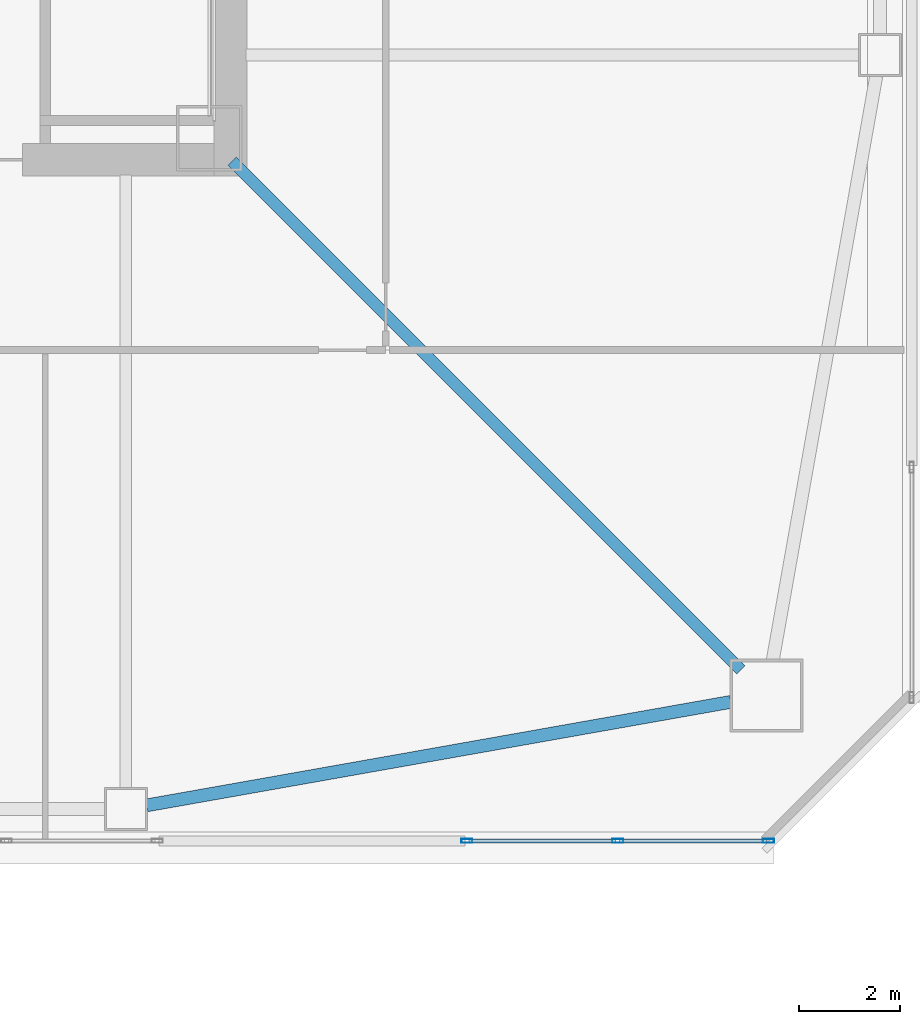
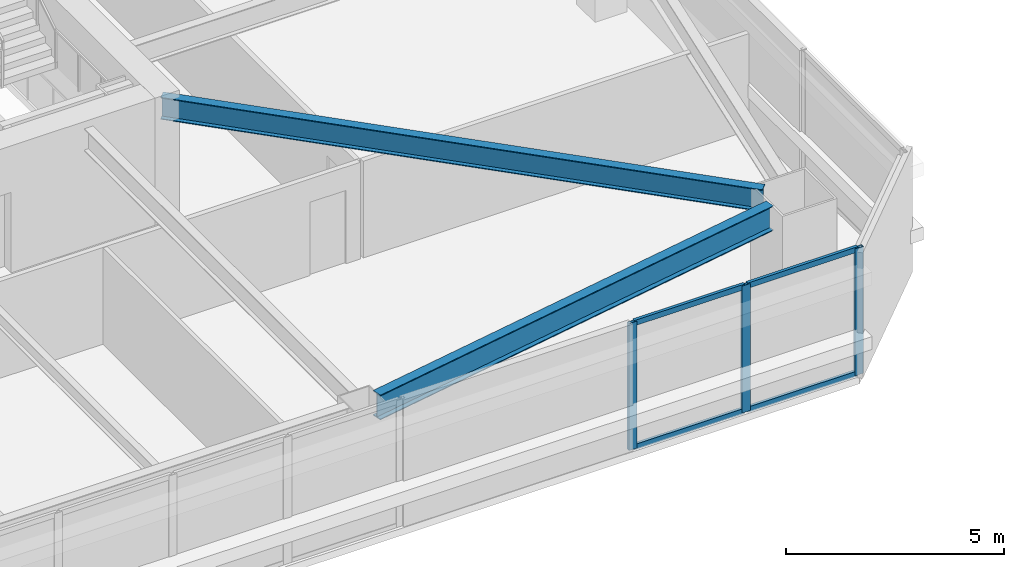
# One storey, part 8 of 44: 7 members, 2 beams, 1 element without a shape of its own.
"""IFC4 building model written with IfcOpenShell, lengths in metres."""

from ifc_helpers import new_model, si_unit, direction, frame, origin, origin_2d, place, context, subcontext, project, spatial, hollow_rectangle, i_section, extrude, material, material_profile, profile_set, type_object, element, aggregate, save


model = new_model("IFC4")

# Units and contexts
model_context = context("Model", 3, precision=1e-05, world=origin(), true_north=direction((0.0, 1.0)))
body_context = subcontext(model_context, "Body", "Model", "MODEL_VIEW")
ifc_project = project(units=[si_unit("LENGTHUNIT", "METRE"), si_unit("AREAUNIT", "SQUARE_METRE"), si_unit("VOLUMEUNIT", "CUBIC_METRE"), si_unit("PLANEANGLEUNIT", "RADIAN"), si_unit("MASSUNIT", "GRAM", prefix="KILO")], contexts=[model_context])

# Site, building, storey
site_placement = place(None, origin())
site = spatial("IfcSite", under=ifc_project, at=site_placement, CompositionType="ELEMENT")
building_placement = place(site_placement, origin())
building = spatial("IfcBuilding", under=site, at=building_placement, Name="Tashvorn Skyway Center", CompositionType="ELEMENT")
storey_placement = place(building_placement, frame((0.0, 0.0, 84.949951171875)))
storey = spatial("IfcBuildingStorey", under=building, at=storey_placement, Name="L22", CompositionType="ELEMENT", Elevation=84.949951171875)

# Beams
ifc_material_1 = material(Name="Steel ASTM A992 Grade 50", Category="steel")
ifc_material_profile_1 = material_profile(ifc_material_1, i_section(OverallWidth=0.22998046875, OverallDepth=0.616943359375, WebThickness=0.01318359375, FlangeThickness=0.022216796875, at=origin_2d()), Name="W24X94")
ifc_profile_set_1 = profile_set([ifc_material_profile_1], Name="Steel ASTM A992 Grade 50")
beam_type_1 = type_object("IfcBeamType", Name="BM-BEAM-W24X94", PredefinedType="BEAM", material=ifc_profile_set_1)
beam_1_placement = place(storey_placement, frame((59.5908203125, 14.4091796875, 3.04150390625), z_axis=(-0.707106781187, 0.707106781187, 0.0), x_axis=(-0.707106781187, -0.707106781187, 0.0)))
element("IfcBeam", 1, at=beam_1_placement, inside=storey, type_object=beam_type_1, Name="Tower 1 L22 Primary Floor Girder MC-SE", PredefinedType="BEAM", context=body_context, shape_type="SweptSolid", body=[
    extrude(i_section(OverallWidth=0.22998046875, OverallDepth=0.616943359375, WebThickness=0.01318359375, FlangeThickness=0.022216796875, at=origin_2d()), origin(), (0.0, 0.0, 1.0), 14.261962890625),
])
ifc_material_profile_2 = material_profile(ifc_material_1, i_section(OverallWidth=0.256103515625, OverallDepth=0.693115234375, WebThickness=0.014404296875, FlangeThickness=0.023681640625, at=origin_2d()), Name="W27X114")
ifc_profile_set_2 = profile_set([ifc_material_profile_2], Name="Steel ASTM A992 Grade 50")
beam_type_2 = type_object("IfcBeamType", Name="BM-SPANDREL-W27X114", PredefinedType="SPANDREL", material=ifc_profile_set_2)
beam_2_placement = place(storey_placement, frame((47.8134765625, 11.723388671875, 3.003662109375), z_axis=(0.98466816531, 0.174437966698, 0.0), x_axis=(-0.174437966698, 0.98466816531, 0.0)))
element("IfcBeam", 2, at=beam_2_placement, inside=storey, type_object=beam_type_2, Name="Tower 1 L22 Spandrel Beam 03", PredefinedType="SPANDREL", context=body_context, shape_type="SweptSolid", body=[
    extrude(i_section(OverallWidth=0.256103515625, OverallDepth=0.693115234375, WebThickness=0.014404296875, FlangeThickness=0.023681640625, at=origin_2d()), origin(), (0.0, 0.0, 1.0), 11.7578125),
])

# Curtain wall, members
ifc_material_2 = material(Name="Thermally broken bronze-anodized aluminium 6063-T6", Category="aluminium")
curtain_wall_type = type_object("IfcCurtainWallType", Name="CW-CW-Z2", PredefinedType="NOTDEFINED", material=ifc_material_2)
curtain_wall_placement = place(storey_placement, origin())
curtain_wall = element("IfcCurtainWall", 3, at=curtain_wall_placement, inside=storey, type_object=curtain_wall_type, Name="Tower 1 L22 South Unitised Curtain Wall Glazing Group 1", PredefinedType="NOTDEFINED")
ifc_material_profile_3 = material_profile(ifc_material_2, hollow_rectangle(XDim=0.080078125, YDim=0.219970703125, WallThickness=0.0048828125, at=origin_2d()), Name="ALU-MULL-80x220")
ifc_profile_set_3 = profile_set([ifc_material_profile_3], Name="Thermally broken bronze-anodized aluminium 6063-T6")
member_type_1 = type_object("IfcMemberType", Name="CWM-CW-Z2", PredefinedType="MULLION", material=ifc_profile_set_3)
member_1_placement = place(storey_placement, frame((60.139892578125, 11.02001953125, 0.0), z_axis=(0.0, 0.0, 1.0), x_axis=(0.0, -1.0, 0.0)))
member_1 = element("IfcMember", 4, at=member_1_placement, type_object=member_type_1, Name="CW-Z2 mullion 1", PredefinedType="MULLION", context=body_context, shape_type="SweptSolid", body=[
    extrude(hollow_rectangle(XDim=0.080078125, YDim=0.219970703125, WallThickness=0.0048828125, at=origin_2d()), origin(), (0.0, 0.0, 1.0), 3.550048828125),
])
member_2_placement = place(storey_placement, frame((57.14990234375, 11.02001953125, 0.0), z_axis=(0.0, 0.0, 1.0), x_axis=(0.0, -1.0, 0.0)))
member_2 = element("IfcMember", 5, at=member_2_placement, type_object=member_type_1, Name="CW-Z2 mullion 2", PredefinedType="MULLION", context=body_context, shape_type="SweptSolid", body=[
    extrude(hollow_rectangle(XDim=0.080078125, YDim=0.219970703125, WallThickness=0.0048828125, at=origin_2d()), origin(), (0.0, 0.0, 1.0), 3.550048828125),
])
member_3_placement = place(storey_placement, frame((54.159912109375, 11.02001953125, 0.0), z_axis=(0.0, 0.0, 1.0), x_axis=(0.0, -1.0, 0.0)))
member_3 = element("IfcMember", 6, at=member_3_placement, type_object=member_type_1, Name="CW-Z2 mullion 3", PredefinedType="MULLION", context=body_context, shape_type="SweptSolid", body=[
    extrude(hollow_rectangle(XDim=0.080078125, YDim=0.219970703125, WallThickness=0.0048828125, at=origin_2d()), origin(), (0.0, 0.0, 1.0), 3.550048828125),
])
ifc_material_profile_4 = material_profile(ifc_material_2, hollow_rectangle(XDim=0.080078125, YDim=0.14990234375, WallThickness=0.00439453125, at=origin_2d()), Name="ALU-TRAN-80x150")
ifc_profile_set_4 = profile_set([ifc_material_profile_4], Name="Thermally broken bronze-anodized aluminium 6063-T6")
member_type_2 = type_object("IfcMemberType", Name="CWT-CW-Z2", PredefinedType="USERDEFINED", material=ifc_profile_set_4)
member_4_placement = place(storey_placement, frame((60.10009765625, 11.02001953125, 0.0400390625), z_axis=(-1.0, 0.0, 0.0), x_axis=(0.0, -1.0, 0.0)))
member_4 = element("IfcMember", 7, at=member_4_placement, type_object=member_type_2, Name="CW-Z2 transom 1.1", ObjectType="TRANSOM", PredefinedType="USERDEFINED", context=body_context, shape_type="SweptSolid", body=[
    extrude(hollow_rectangle(XDim=0.080078125, YDim=0.14990234375, WallThickness=0.00439453125, at=origin_2d()), origin(), (0.0, 0.0, 1.0), 2.91015625),
])
member_5_placement = place(storey_placement, frame((60.10009765625, 11.02001953125, 3.510009765625), z_axis=(-1.0, 0.0, 0.0), x_axis=(0.0, -1.0, 0.0)))
member_5 = element("IfcMember", 8, at=member_5_placement, type_object=member_type_2, Name="CW-Z2 transom 1.2", ObjectType="TRANSOM", PredefinedType="USERDEFINED", context=body_context, shape_type="SweptSolid", body=[
    extrude(hollow_rectangle(XDim=0.080078125, YDim=0.14990234375, WallThickness=0.00439453125, at=origin_2d()), origin(), (0.0, 0.0, 1.0), 2.91015625),
])
member_6_placement = place(storey_placement, frame((57.110107421875, 11.02001953125, 0.0400390625), z_axis=(-1.0, 0.0, 0.0), x_axis=(0.0, -1.0, 0.0)))
member_6 = element("IfcMember", 9, at=member_6_placement, type_object=member_type_2, Name="CW-Z2 transom 2.1", ObjectType="TRANSOM", PredefinedType="USERDEFINED", context=body_context, shape_type="SweptSolid", body=[
    extrude(hollow_rectangle(XDim=0.080078125, YDim=0.14990234375, WallThickness=0.00439453125, at=origin_2d()), origin(), (0.0, 0.0, 1.0), 2.91015625),
])
member_7_placement = place(storey_placement, frame((57.110107421875, 11.02001953125, 3.510009765625), z_axis=(-1.0, 0.0, 0.0), x_axis=(0.0, -1.0, 0.0)))
member_7 = element("IfcMember", 10, at=member_7_placement, type_object=member_type_2, Name="CW-Z2 transom 2.2", ObjectType="TRANSOM", PredefinedType="USERDEFINED", context=body_context, shape_type="SweptSolid", body=[
    extrude(hollow_rectangle(XDim=0.080078125, YDim=0.14990234375, WallThickness=0.00439453125, at=origin_2d()), origin(), (0.0, 0.0, 1.0), 2.91015625),
])
aggregate(curtain_wall, [member_1, member_2, member_3, member_4, member_5, member_6, member_7])

save(model, "model.ifc")
